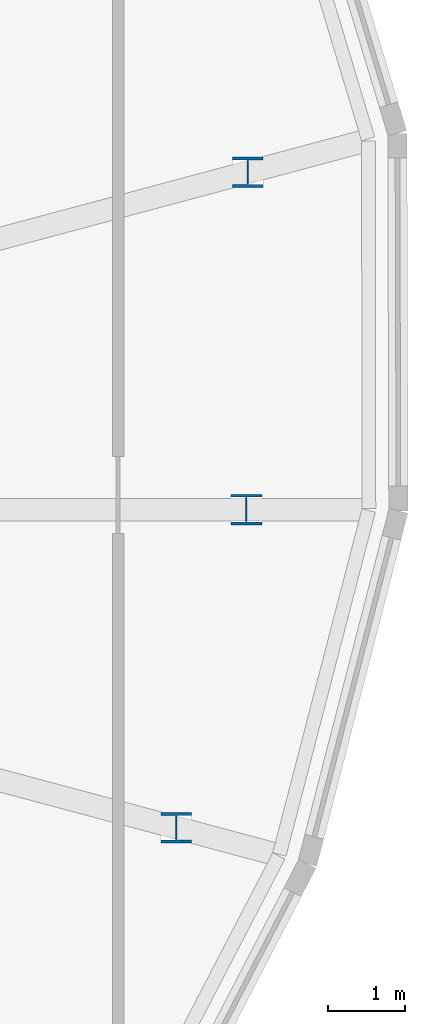
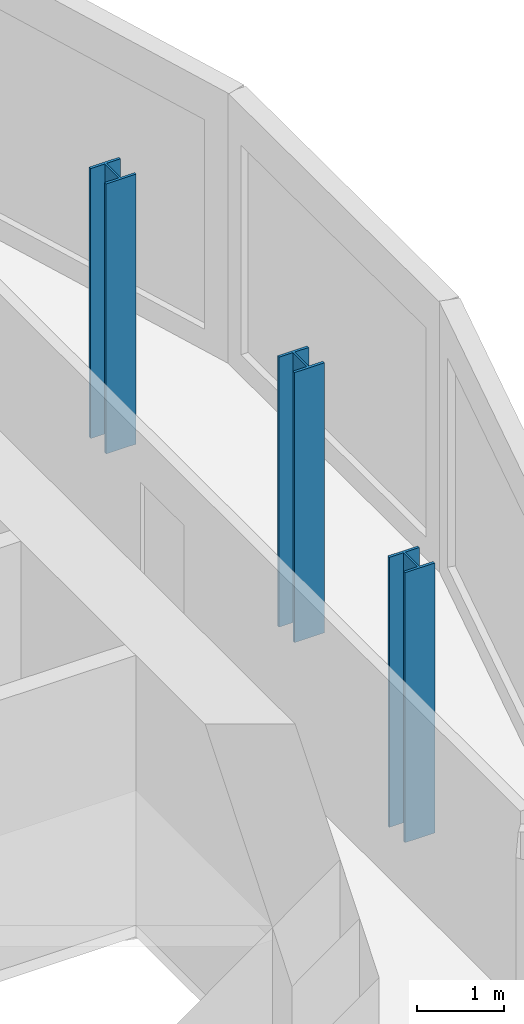
# One storey, part 2 of 34: 3 columns.
"""IFC4 building model written with IfcOpenShell, lengths in metres."""

from ifc_helpers import new_model, si_unit, direction, frame, origin, origin_2d, place, context, subcontext, project, spatial, i_section, extrude, material, material_profile, profile_set, type_object, element, save


model = new_model("IFC4")

# Units and contexts
model_context = context("Model", 3, precision=1e-05, world=origin(), true_north=direction((0.0, 1.0)))
body_context = subcontext(model_context, "Body", "Model", "MODEL_VIEW")
ifc_project = project(units=[si_unit("LENGTHUNIT", "METRE"), si_unit("AREAUNIT", "SQUARE_METRE"), si_unit("VOLUMEUNIT", "CUBIC_METRE"), si_unit("PLANEANGLEUNIT", "RADIAN"), si_unit("MASSUNIT", "GRAM", prefix="KILO")], contexts=[model_context])

# Site, building, storey
site_placement = place(None, origin())
site = spatial("IfcSite", under=ifc_project, at=site_placement, CompositionType="ELEMENT")
building_placement = place(site_placement, origin())
building = spatial("IfcBuilding", under=site, at=building_placement, Name="Rimbun Link Towers", CompositionType="ELEMENT")
storey_placement = place(building_placement, frame((0.0, 0.0, 41.39990234375)))
storey = spatial("IfcBuildingStorey", under=building, at=storey_placement, Name="L09", CompositionType="ELEMENT", Elevation=41.39990234375)

# Columns
ifc_material = material(Name="Steel S355J2", Category="steel")
ifc_material_profile = material_profile(ifc_material, i_section(OverallWidth=0.39892578125, OverallDepth=0.3935546875, WebThickness=0.022705078125, FlangeThickness=0.03662109375, at=origin_2d()), Name="UC 356x406x287")
ifc_profile_set = profile_set([ifc_material_profile], Name="Steel S355J2")
column_type = type_object("IfcColumnType", Name="UC 356x406x287", PredefinedType="COLUMN", material=ifc_profile_set)
for number, where, z_axis, x_axis, name in (
    (1, (47.128662109375, -4.12060546875, -0.159912109375), (0.0, 0.0, 1.0), (1.0, 0.0, 0.0), "Crease post T2 L09 20"),
    (2, (48.03662109375, 0.0, -0.159912109375), (0.0, 0.0, 1.0), (1.0, 0.0, 0.0), "Crease post T2 L09 21"),
    (3, (48.05419921875, 4.36865234375, -0.159912109375), (0.0, 0.0, 1.0), (1.0, 0.0, 0.0), "Crease post T2 L09 22"),
):
    element("IfcColumn", number, at=place(storey_placement, frame(where, z_axis=z_axis, x_axis=x_axis)), inside=storey, type_object=column_type, Name=name, PredefinedType="COLUMN", context=body_context, shape_type="SweptSolid", body=[
        extrude(i_section(OverallWidth=0.39892578125, OverallDepth=0.3935546875, WebThickness=0.022705078125, FlangeThickness=0.03662109375, at=origin_2d()), origin(), (0.0, 0.0, 1.0), 3.800048828125),
    ])

save(model, "model.ifc")
